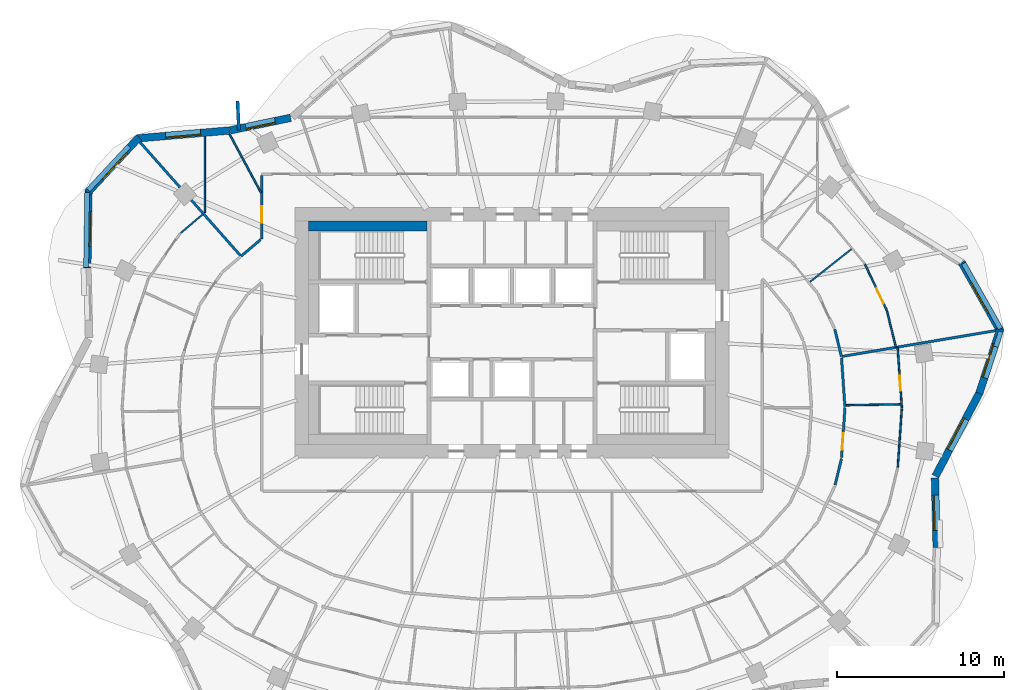
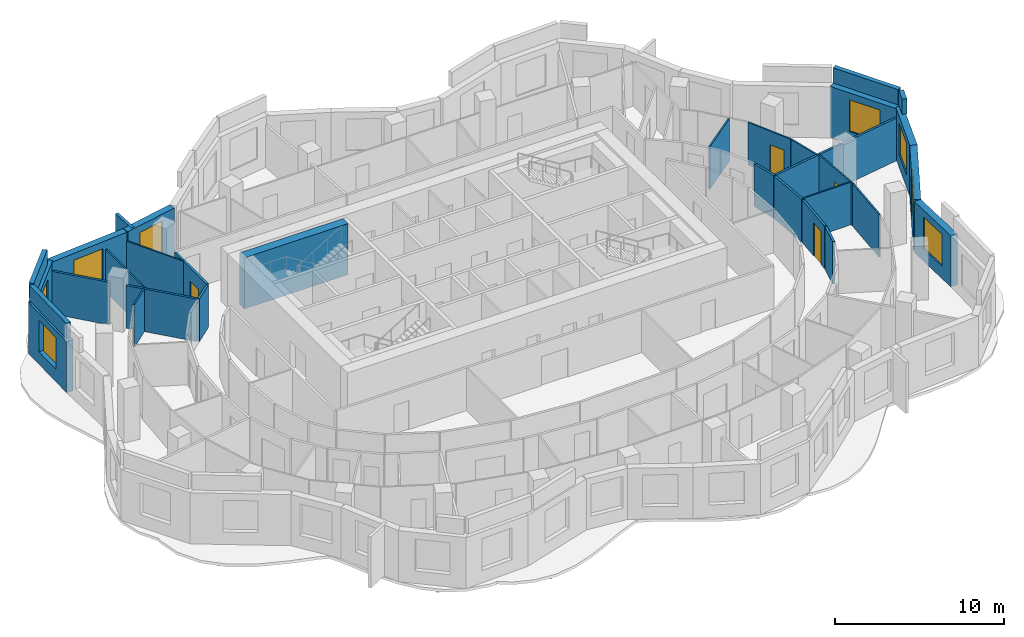
# One storey, part 8 of 12: 32 walls, 8 windows, 4 doors, 12 openings.
"""IFC4 building model written with IfcOpenShell, lengths in metres."""

from ifc_helpers import new_model, si_unit, direction, frame, frame_2d, origin, place, context, subcontext, project, spatial, rectangle, extrude, material, layer, layer_set, type_object, element, fill, save


model = new_model("IFC4")

# Units and contexts
model_context = context("Model", 3, precision=1e-05, world=origin(), true_north=direction((0.0, 1.0)))
body_context = subcontext(model_context, "Body", "Model", "MODEL_VIEW")
ifc_project = project(units=[si_unit("LENGTHUNIT", "METRE"), si_unit("AREAUNIT", "SQUARE_METRE"), si_unit("VOLUMEUNIT", "CUBIC_METRE"), si_unit("PLANEANGLEUNIT", "RADIAN"), si_unit("MASSUNIT", "GRAM", prefix="KILO")], contexts=[model_context])

# Site, building, storey
site_placement = place(None, origin())
site = spatial("IfcSite", under=ifc_project, at=site_placement, CompositionType="ELEMENT")
building_placement = place(site_placement, origin())
building = spatial("IfcBuilding", under=site, at=building_placement, Name="Rubra Terraces Tower", CompositionType="ELEMENT")
storey_placement = place(building_placement, frame((0.0, 0.0, 201.300048828125)))
storey = spatial("IfcBuildingStorey", under=building, at=storey_placement, Name="L49", CompositionType="ELEMENT", Elevation=201.300048828125)

# Wall, opening, window
ifc_material_1 = material(Name="Brick masonry red-brown", Category="masonry")
ifc_layer_1 = layer(ifc_material_1, 0.449951171875)
ifc_layer_set_1 = layer_set([ifc_layer_1], Name="Brick masonry red-brown")
wall_type_1 = type_object("IfcWallType", Name="Brick facade wall 450", PredefinedType="SOLIDWALL", material=ifc_layer_set_1)
wall_1_placement = place(storey_placement, frame((27.99462890625, 0.861083984375, 0.0), z_axis=(0.0, 0.0, 1.0), x_axis=(0.310693110673, 0.950510279261, 0.0)))
wall_1 = element("IfcWall", 1, at=wall_1_placement, inside=storey, type_object=wall_type_1, Name="Facade wall L49 bay 1", PredefinedType="SOLIDWALL", context=body_context, shape_type="SweptSolid", body=[
    extrude(rectangle(XDim=4.079833984375, YDim=0.449951171875, at=frame_2d((2.0400390625, 0.0))), origin(), (0.0, 0.0, 1.0), 3.699951171875),
])
opening_1_placement = place(wall_1_placement, frame((0.989990234375, 0.0, 0.89990234375)))
opening_1 = element("IfcOpeningElement", 2, at=opening_1_placement, cuts=wall_1, Name="Opening W1B", PredefinedType="OPENING", context=body_context, shape_type="SweptSolid", body=[
    extrude(rectangle(XDim=2.10009765625, YDim=2.300048828125, at=frame_2d((1.050048828125, 1.14990234375))), frame((0.0, 0.23486328125, 0.0), z_axis=(0.0, -1.0, 0.0), x_axis=(1.0, 0.0, 0.0)), (0.0, 0.0, 1.0), 0.469970703125),
])
ifc_material_2 = material(Name="Clear glass in aluminium frame", Category="aluminium")
window_type_1 = type_object("IfcWindowType", Name="Fixed deep-set window tall storey 2100 x 2300", PartitioningType="SINGLE_PANEL", PredefinedType="WINDOW", material=ifc_material_2)
window_1_placement = place(opening_1_placement, origin())
window_1 = element("IfcWindow", 3, at=window_1_placement, inside=storey, type_object=window_type_1, Name="Window L49 bay 1", OverallHeight=2.300048828125, OverallWidth=2.10009765625, PartitioningType="SINGLE_PANEL", PredefinedType="WINDOW", context=body_context, shape_type="SweptSolid", body=[
    extrude(rectangle(XDim=2.10009765625, YDim=2.300048828125, at=frame_2d((1.050048828125, 1.14990234375))), frame((0.0, 0.135009765625, 0.0), z_axis=(0.0, -1.0, 0.0), x_axis=(1.0, 0.0, 0.0)), (0.0, 0.0, 1.0), 0.06005859375),
])
fill(opening_1, window_1)

wall_2_placement = place(storey_placement, frame((29.280029296875, 4.558349609375, 0.0), z_axis=(0.0, 0.0, 1.0), x_axis=(-0.491511608999, 0.870871022723, 0.0)))
wall_2 = element("IfcWall", 4, at=wall_2_placement, inside=storey, type_object=wall_type_1, Name="Facade wall L49 bay 2", PredefinedType="SOLIDWALL", context=body_context, shape_type="SweptSolid", body=[
    extrude(rectangle(XDim=4.762939453125, YDim=0.449951171875, at=frame_2d((2.38134765625, 0.0))), origin(), (0.0, 0.0, 1.0), 3.699951171875),
])
opening_2_placement = place(wall_2_placement, frame((1.33154296875, 0.0, 0.89990234375)))
opening_2 = element("IfcOpeningElement", 5, at=opening_2_placement, cuts=wall_2, Name="Opening W1B", PredefinedType="OPENING", context=body_context, shape_type="SweptSolid", body=[
    extrude(rectangle(XDim=2.10009765625, YDim=2.300048828125, at=frame_2d((1.050048828125, 1.14990234375))), frame((0.0, 0.23486328125, 0.0), z_axis=(0.0, -1.0, 0.0), x_axis=(1.0, 0.0, 0.0)), (0.0, 0.0, 1.0), 0.469970703125),
])
window_2_placement = place(opening_2_placement, origin())
window_2 = element("IfcWindow", 6, at=window_2_placement, inside=storey, type_object=window_type_1, Name="Window L49 bay 2", OverallHeight=2.300048828125, OverallWidth=2.10009765625, PartitioningType="SINGLE_PANEL", PredefinedType="WINDOW", context=body_context, shape_type="SweptSolid", body=[
    extrude(rectangle(XDim=2.10009765625, YDim=2.300048828125, at=frame_2d((1.050048828125, 1.14990234375))), frame((0.0, 0.135009765625, 0.0), z_axis=(0.0, -1.0, 0.0), x_axis=(1.0, 0.0, 0.0)), (0.0, 0.0, 1.0), 0.06005859375),
])
fill(opening_2, window_2)

wall_3_placement = place(storey_placement, frame((-13.2578125, 17.3671875, 0.0), z_axis=(0.0, 0.0, 1.0), x_axis=(-0.97914968674, -0.203140077183, 0.0)))
wall_3 = element("IfcWall", 7, at=wall_3_placement, inside=storey, type_object=wall_type_1, Name="Facade wall L49 bay 15", PredefinedType="SOLIDWALL", context=body_context, shape_type="SweptSolid", body=[
    extrude(rectangle(XDim=3.700439453125, YDim=0.449951171875, at=frame_2d((1.85009765625, 0.0))), origin(), (0.0, 0.0, 1.0), 3.699951171875),
])
opening_3_placement = place(wall_3_placement, frame((0.9501953125, 0.0, 0.89990234375)))
opening_3 = element("IfcOpeningElement", 8, at=opening_3_placement, cuts=wall_3, Name="Opening W6B", PredefinedType="OPENING", context=body_context, shape_type="SweptSolid", body=[
    extrude(rectangle(XDim=1.800048828125, YDim=2.300048828125, at=frame_2d((0.89990234375, 1.14990234375))), frame((0.0, 0.23486328125, 0.0), z_axis=(0.0, -1.0, 0.0), x_axis=(1.0, 0.0, 0.0)), (0.0, 0.0, 1.0), 0.469970703125),
])
window_type_2 = type_object("IfcWindowType", Name="Fixed deep-set window at wind fin tall storey 1800 x 2300", PartitioningType="SINGLE_PANEL", PredefinedType="WINDOW", material=ifc_material_2)
window_3_placement = place(opening_3_placement, origin())
window_3 = element("IfcWindow", 9, at=window_3_placement, inside=storey, type_object=window_type_2, Name="Window L49 bay 15", OverallHeight=2.300048828125, OverallWidth=1.800048828125, PartitioningType="SINGLE_PANEL", PredefinedType="WINDOW", context=body_context, shape_type="SweptSolid", body=[
    extrude(rectangle(XDim=1.800048828125, YDim=2.300048828125, at=frame_2d((0.89990234375, 1.14990234375))), frame((0.0, 0.135009765625, 0.0), z_axis=(0.0, -1.0, 0.0), x_axis=(1.0, 0.0, 0.0)), (0.0, 0.0, 1.0), 0.06005859375),
])
fill(opening_3, window_3)

wall_4_placement = place(storey_placement, frame((-16.91015625, 16.610107421875, 0.0), z_axis=(0.0, 0.0, 1.0), x_axis=(-0.996333165816, -0.085558299972, 0.0)))
wall_4 = element("IfcWall", 10, at=wall_4_placement, inside=storey, type_object=wall_type_1, Name="Facade wall L49 bay 16", PredefinedType="SOLIDWALL", context=body_context, shape_type="SweptSolid", body=[
    extrude(rectangle(XDim=5.595703125, YDim=0.449951171875, at=frame_2d((2.7978515625, 0.0))), origin(), (0.0, 0.0, 1.0), 3.699951171875),
])
opening_4_placement = place(wall_4_placement, frame((1.747802734375, 0.0, 0.89990234375)))
opening_4 = element("IfcOpeningElement", 11, at=opening_4_placement, cuts=wall_4, Name="Opening W1B", PredefinedType="OPENING", context=body_context, shape_type="SweptSolid", body=[
    extrude(rectangle(XDim=2.10009765625, YDim=2.300048828125, at=frame_2d((1.050048828125, 1.14990234375))), frame((0.0, 0.23486328125, 0.0), z_axis=(0.0, -1.0, 0.0), x_axis=(1.0, 0.0, 0.0)), (0.0, 0.0, 1.0), 0.469970703125),
])
window_4_placement = place(opening_4_placement, origin())
window_4 = element("IfcWindow", 12, at=window_4_placement, inside=storey, type_object=window_type_1, Name="Window L49 bay 16", OverallHeight=2.300048828125, OverallWidth=2.10009765625, PartitioningType="SINGLE_PANEL", PredefinedType="WINDOW", context=body_context, shape_type="SweptSolid", body=[
    extrude(rectangle(XDim=2.10009765625, YDim=2.300048828125, at=frame_2d((1.050048828125, 1.14990234375))), frame((0.0, 0.135009765625, 0.0), z_axis=(0.0, -1.0, 0.0), x_axis=(1.0, 0.0, 0.0)), (0.0, 0.0, 1.0), 0.06005859375),
])
fill(opening_4, window_4)

wall_5_placement = place(storey_placement, frame((-22.34521484375, 16.20166015625, 0.0), z_axis=(0.0, 0.0, 1.0), x_axis=(-0.681249161265, -0.732051624051, 0.0)))
wall_5 = element("IfcWall", 13, at=wall_5_placement, inside=storey, type_object=wall_type_1, Name="Facade wall L49 bay 17", PredefinedType="SOLIDWALL", context=body_context, shape_type="SweptSolid", body=[
    extrude(rectangle(XDim=4.52685546875, YDim=0.449951171875, at=frame_2d((2.263427734375, 0.0))), origin(), (0.0, 0.0, 1.0), 3.699951171875),
])
opening_5_placement = place(wall_5_placement, frame((1.21337890625, 0.0, 0.89990234375)))
opening_5 = element("IfcOpeningElement", 14, at=opening_5_placement, cuts=wall_5, Name="Opening W1B", PredefinedType="OPENING", context=body_context, shape_type="SweptSolid", body=[
    extrude(rectangle(XDim=2.10009765625, YDim=2.300048828125, at=frame_2d((1.050048828125, 1.14990234375))), frame((0.0, 0.23486328125, 0.0), z_axis=(0.0, -1.0, 0.0), x_axis=(1.0, 0.0, 0.0)), (0.0, 0.0, 1.0), 0.469970703125),
])
window_5_placement = place(opening_5_placement, origin())
window_5 = element("IfcWindow", 15, at=window_5_placement, inside=storey, type_object=window_type_1, Name="Window L49 bay 17", OverallHeight=2.300048828125, OverallWidth=2.10009765625, PartitioningType="SINGLE_PANEL", PredefinedType="WINDOW", context=body_context, shape_type="SweptSolid", body=[
    extrude(rectangle(XDim=2.10009765625, YDim=2.300048828125, at=frame_2d((1.050048828125, 1.14990234375))), frame((0.0, 0.135009765625, 0.0), z_axis=(0.0, -1.0, 0.0), x_axis=(1.0, 0.0, 0.0)), (0.0, 0.0, 1.0), 0.06005859375),
])
fill(opening_5, window_5)

wall_6_placement = place(storey_placement, frame((-25.369140625, 13.031982421875, 0.0), z_axis=(0.0, 0.0, 1.0), x_axis=(-0.015383599855, -0.999881665426, 0.0)))
wall_6 = element("IfcWall", 16, at=wall_6_placement, inside=storey, type_object=wall_type_1, Name="Facade wall L49 bay 18", PredefinedType="SOLIDWALL", context=body_context, shape_type="SweptSolid", body=[
    extrude(rectangle(XDim=4.665771484375, YDim=0.449951171875, at=frame_2d((2.3330078125, 0.0))), origin(), (0.0, 0.0, 1.0), 3.699951171875),
])
opening_6_placement = place(wall_6_placement, frame((1.282958984375, 0.0, 0.89990234375)))
opening_6 = element("IfcOpeningElement", 17, at=opening_6_placement, cuts=wall_6, Name="Opening W1B", PredefinedType="OPENING", context=body_context, shape_type="SweptSolid", body=[
    extrude(rectangle(XDim=2.10009765625, YDim=2.300048828125, at=frame_2d((1.050048828125, 1.14990234375))), frame((0.0, 0.23486328125, 0.0), z_axis=(0.0, -1.0, 0.0), x_axis=(1.0, 0.0, 0.0)), (0.0, 0.0, 1.0), 0.469970703125),
])
window_6_placement = place(opening_6_placement, origin())
window_6 = element("IfcWindow", 18, at=window_6_placement, inside=storey, type_object=window_type_1, Name="Window L49 bay 18", OverallHeight=2.300048828125, OverallWidth=2.10009765625, PartitioningType="SINGLE_PANEL", PredefinedType="WINDOW", context=body_context, shape_type="SweptSolid", body=[
    extrude(rectangle(XDim=2.10009765625, YDim=2.300048828125, at=frame_2d((1.050048828125, 1.14990234375))), frame((0.0, 0.135009765625, 0.0), z_axis=(0.0, -1.0, 0.0), x_axis=(1.0, 0.0, 0.0)), (0.0, 0.0, 1.0), 0.06005859375),
])
fill(opening_6, window_6)

wall_7_placement = place(storey_placement, frame((25.44091796875, -8.375, 0.0), z_axis=(0.0, 0.0, 1.0), x_axis=(-0.024385850259, 0.999702620936, 0.0)))
wall_7 = element("IfcWall", 19, at=wall_7_placement, inside=storey, type_object=wall_type_1, Name="Facade wall L49 bay 39", PredefinedType="SOLIDWALL", context=body_context, shape_type="SweptSolid", body=[
    extrude(rectangle(XDim=4.164794921875, YDim=0.449951171875, at=frame_2d((2.08251953125, 0.0))), origin(), (0.0, 0.0, 1.0), 3.699951171875),
])
opening_7_placement = place(wall_7_placement, frame((1.032470703125, 0.0, 0.89990234375)))
opening_7 = element("IfcOpeningElement", 20, at=opening_7_placement, cuts=wall_7, Name="Opening W1B", PredefinedType="OPENING", context=body_context, shape_type="SweptSolid", body=[
    extrude(rectangle(XDim=2.10009765625, YDim=2.300048828125, at=frame_2d((1.050048828125, 1.14990234375))), frame((0.0, 0.23486328125, 0.0), z_axis=(0.0, -1.0, 0.0), x_axis=(1.0, 0.0, 0.0)), (0.0, 0.0, 1.0), 0.469970703125),
])
window_7_placement = place(opening_7_placement, origin())
window_7 = element("IfcWindow", 21, at=window_7_placement, inside=storey, type_object=window_type_1, Name="Window L49 bay 39", OverallHeight=2.300048828125, OverallWidth=2.10009765625, PartitioningType="SINGLE_PANEL", PredefinedType="WINDOW", context=body_context, shape_type="SweptSolid", body=[
    extrude(rectangle(XDim=2.10009765625, YDim=2.300048828125, at=frame_2d((1.050048828125, 1.14990234375))), frame((0.0, 0.135009765625, 0.0), z_axis=(0.0, -1.0, 0.0), x_axis=(1.0, 0.0, 0.0)), (0.0, 0.0, 1.0), 0.06005859375),
])
fill(opening_7, window_7)

wall_8_placement = place(storey_placement, frame((25.365478515625, -4.10693359375, 0.0), z_axis=(0.0, 0.0, 1.0), x_axis=(0.467239399168, 0.884130840919, 0.0)))
wall_8 = element("IfcWall", 22, at=wall_8_placement, inside=storey, type_object=wall_type_1, Name="Facade wall L49 bay 40", PredefinedType="SOLIDWALL", context=body_context, shape_type="SweptSolid", body=[
    extrude(rectangle(XDim=5.658935546875, YDim=0.449951171875, at=frame_2d((2.82958984375, 0.0))), origin(), (0.0, 0.0, 1.0), 3.699951171875),
])
opening_8_placement = place(wall_8_placement, frame((1.779296875, 0.0, 0.89990234375)))
opening_8 = element("IfcOpeningElement", 23, at=opening_8_placement, cuts=wall_8, Name="Opening W1B", PredefinedType="OPENING", context=body_context, shape_type="SweptSolid", body=[
    extrude(rectangle(XDim=2.10009765625, YDim=2.300048828125, at=frame_2d((1.050048828125, 1.14990234375))), frame((0.0, 0.23486328125, 0.0), z_axis=(0.0, -1.0, 0.0), x_axis=(1.0, 0.0, 0.0)), (0.0, 0.0, 1.0), 0.469970703125),
])
window_8_placement = place(opening_8_placement, origin())
window_8 = element("IfcWindow", 24, at=window_8_placement, inside=storey, type_object=window_type_1, Name="Window L49 bay 40", OverallHeight=2.300048828125, OverallWidth=2.10009765625, PartitioningType="SINGLE_PANEL", PredefinedType="WINDOW", context=body_context, shape_type="SweptSolid", body=[
    extrude(rectangle(XDim=2.10009765625, YDim=2.300048828125, at=frame_2d((1.050048828125, 1.14990234375))), frame((0.0, 0.135009765625, 0.0), z_axis=(0.0, -1.0, 0.0), x_axis=(1.0, 0.0, 0.0)), (0.0, 0.0, 1.0), 0.06005859375),
])
fill(opening_8, window_8)

# Walls
ifc_layer_2 = layer(ifc_material_1, 0.300048828125)
ifc_layer_set_2 = layer_set([ifc_layer_2], Name="Brick masonry red-brown")
wall_type_2 = type_object("IfcWallType", Name="Brick parapet 300", PredefinedType="PARAPET", material=ifc_layer_set_2)
wall_9_placement = place(storey_placement, frame((28.987548828125, 3.657470703125, 3.89990234375), z_axis=(0.0, 0.0, 1.0), x_axis=(0.310832502734, 0.950464704891, 0.0)))
element("IfcWall", 25, at=wall_9_placement, inside=storey, type_object=wall_type_2, Name="Parapet L49 bay 1", PredefinedType="PARAPET", context=body_context, shape_type="SweptSolid", body=[
    extrude(rectangle(XDim=0.951171875, YDim=0.300048828125, at=frame_2d((0.4755859375, 0.0))), origin(), (0.0, 0.0, 1.0), 1.10009765625),
])
wall_10_placement = place(storey_placement, frame((29.265625, 4.736572265625, 3.89990234375), z_axis=(0.0, 0.0, 1.0), x_axis=(-0.491480740547, 0.870888443873, 0.0)))
element("IfcWall", 26, at=wall_10_placement, inside=storey, type_object=wall_type_2, Name="Parapet L49 bay 2", PredefinedType="PARAPET", context=body_context, shape_type="SweptSolid", body=[
    extrude(rectangle(XDim=4.494140625, YDim=0.300048828125, at=frame_2d((2.2470703125, 0.0))), origin(), (0.0, 0.0, 1.0), 1.10009765625),
])
wall_11_placement = place(storey_placement, frame((-22.947509765625, 15.66455078125, 3.89990234375), z_axis=(0.0, 0.0, 1.0), x_axis=(-0.681269800001, -0.732032417046, 0.0)))
element("IfcWall", 27, at=wall_11_placement, inside=storey, type_object=wall_type_2, Name="Parapet L49 bay 17", PredefinedType="PARAPET", context=body_context, shape_type="SweptSolid", body=[
    extrude(rectangle(XDim=3.578125, YDim=0.300048828125, at=frame_2d((1.7890625, 0.0))), origin(), (0.0, 0.0, 1.0), 1.10009765625),
])
wall_12_placement = place(storey_placement, frame((-25.4462890625, 12.893310546875, 3.89990234375), z_axis=(0.0, 0.0, 1.0), x_axis=(-0.015386139974, -0.999881626342, 0.0)))
element("IfcWall", 28, at=wall_12_placement, inside=storey, type_object=wall_type_2, Name="Parapet L49 bay 18", PredefinedType="PARAPET", context=body_context, shape_type="SweptSolid", body=[
    extrude(rectangle(XDim=4.490478515625, YDim=0.300048828125, at=frame_2d((2.2451171875, 0.0))), origin(), (0.0, 0.0, 1.0), 1.10009765625),
])
ifc_layer_3 = layer(ifc_material_1, 0.199951171875)
ifc_layer_set_3 = layer_set([ifc_layer_3], Name="Brick masonry red-brown")
wall_type_3 = type_object("IfcWallType", Name="Brick wind fin 200", PredefinedType="SOLIDWALL", material=ifc_layer_set_3)
wall_13_placement = place(storey_placement, frame((-16.361083984375, 16.635986328125, 0.0), z_axis=(0.0, 0.0, 1.0), x_axis=(-0.048552811097, 0.998820616795, 0.0)))
element("IfcWall", 29, at=wall_13_placement, inside=storey, type_object=wall_type_3, Name="Wind fin L49 9", PredefinedType="SOLIDWALL", context=body_context, shape_type="SweptSolid", body=[
    extrude(rectangle(XDim=1.749755859375, YDim=0.199951171875, at=frame_2d((0.875, 0.0))), origin(), (0.0, 0.0, 1.0), 3.699951171875),
])
ifc_material_3 = material(Name="Plasterboard on steel stud, mineral wool infill", Category="steel")
ifc_layer_4 = layer(ifc_material_3, 0.14990234375)
ifc_layer_set_4 = layer_set([ifc_layer_4], Name="Plasterboard on steel stud, mineral wool infill")
wall_type_4 = type_object("IfcWallType", Name="CORRIDOR PARTITION 150", PredefinedType="PARTITIONING", material=ifc_layer_set_4)
wall_14_placement = place(storey_placement, frame((19.736328125, 3.068359375, 0.0), z_axis=(0.0, 0.0, 1.0), x_axis=(-0.236736045641, 0.971574003715, 0.0)))
element("IfcWall", 30, at=wall_14_placement, inside=storey, type_object=wall_type_4, Name="PARTITION", PredefinedType="PARTITIONING", context=body_context, shape_type="SweptSolid", body=[
    extrude(rectangle(XDim=1.68505859375, YDim=0.14990234375, at=frame_2d((0.842529296875, 0.0))), origin(), (0.0, 0.0, 1.0), 3.083984375),
])

# Wall, opening, door
wall_15_placement = place(storey_placement, frame((-15.0, 13.925048828125, 0.0), z_axis=(0.0, 0.0, 1.0), x_axis=(0.0, -1.0, 0.0)))
wall_15 = element("IfcWall", 31, at=wall_15_placement, inside=storey, type_object=wall_type_4, Name="PARTITION", PredefinedType="PARTITIONING", context=body_context, shape_type="SweptSolid", body=[
    extrude(rectangle(XDim=3.803466796875, YDim=0.14990234375, at=frame_2d((1.90185546875, 0.0))), origin(), (0.0, 0.0, 1.0), 3.083984375),
])
opening_9_placement = place(wall_15_placement, frame((1.85009765625, 0.0, 0.0)))
opening_9 = element("IfcOpeningElement", 32, at=opening_9_placement, cuts=wall_15, Name="Opening 49-141", PredefinedType="OPENING", context=body_context, shape_type="SweptSolid", body=[
    extrude(rectangle(XDim=1.0, YDim=2.10009765625, at=frame_2d((0.5, 1.050048828125))), frame((0.0, 0.0849609375, 0.0), z_axis=(0.0, -1.0, 0.0), x_axis=(1.0, 0.0, 0.0)), (0.0, 0.0, 1.0), 0.169921875),
])
ifc_material_4 = material(Name="Painted timber door leaf", Category="wood")
door_type_1 = type_object("IfcDoorType", Name="ROOM DOOR 1000 X 2100", OperationType="SINGLE_SWING_LEFT", PredefinedType="DOOR", material=ifc_material_4)
door_1_placement = place(opening_9_placement, origin())
door_1 = element("IfcDoor", 33, at=door_1_placement, inside=storey, type_object=door_type_1, Name="DOOR 49-141", OperationType="SINGLE_SWING_RIGHT", OverallHeight=2.10009765625, OverallWidth=1.0, PredefinedType="DOOR", context=body_context, shape_type="SweptSolid", body=[
    extrude(rectangle(XDim=1.0, YDim=2.10009765625, at=frame_2d((0.5, 1.050048828125))), frame((0.0, 0.02490234375, 0.0), z_axis=(0.0, -1.0, 0.0), x_axis=(1.0, 0.0, 0.0)), (0.0, 0.0, 1.0), 0.050048828125),
])
fill(opening_9, door_1)

# Walls
wall_16_placement = place(storey_placement, frame((-15.05712890625, 10.072998046875, 0.0), z_axis=(0.0, 0.0, 1.0), x_axis=(-0.762454697996, -0.647041601061, 0.0)))
element("IfcWall", 34, at=wall_16_placement, inside=storey, type_object=wall_type_4, Name="PARTITION", PredefinedType="PARTITIONING", context=body_context, shape_type="SweptSolid", body=[
    extrude(rectangle(XDim=1.5419921875, YDim=0.14990234375, at=frame_2d((0.77099609375, 0.0))), origin(), (0.0, 0.0, 1.0), 3.083984375),
])
wall_17_placement = place(storey_placement, frame((19.355224609375, -4.6328125, 0.0), z_axis=(0.0, 0.0, 1.0), x_axis=(0.236703930685, 0.971581828359, 0.0)))
element("IfcWall", 35, at=wall_17_placement, inside=storey, type_object=wall_type_4, Name="PARTITION", PredefinedType="PARTITIONING", context=body_context, shape_type="SweptSolid", body=[
    extrude(rectangle(XDim=1.62646484375, YDim=0.14990234375, at=frame_2d((0.813232421875, 0.0))), origin(), (0.0, 0.0, 1.0), 3.083984375),
])

# Wall, opening, door
wall_18_placement = place(storey_placement, frame((19.745361328125, -2.9775390625, 0.0), z_axis=(0.0, 0.0, 1.0), x_axis=(0.068142324, 0.997675610447, 0.0)))
wall_18 = element("IfcWall", 36, at=wall_18_placement, inside=storey, type_object=wall_type_4, Name="PARTITION", PredefinedType="PARTITIONING", context=body_context, shape_type="SweptSolid", body=[
    extrude(rectangle(XDim=2.984375, YDim=0.14990234375, at=frame_2d((1.4921875, 0.0))), origin(), (0.0, 0.0, 1.0), 3.083984375),
])
opening_10_placement = place(wall_18_placement, frame((0.449951171875, 0.0, 0.0)))
opening_10 = element("IfcOpeningElement", 37, at=opening_10_placement, cuts=wall_18, Name="Opening 49-130", PredefinedType="OPENING", context=body_context, shape_type="SweptSolid", body=[
    extrude(rectangle(XDim=1.0, YDim=2.39990234375, at=frame_2d((0.5, 1.199951171875))), frame((0.0, 0.0849609375, 0.0), z_axis=(0.0, -1.0, 0.0), x_axis=(1.0, 0.0, 0.0)), (0.0, 0.0, 1.0), 0.169921875),
])
ifc_material_5 = material(Name="Glazed aluminium meeting door leaf", Category="aluminium")
door_type_2 = type_object("IfcDoorType", Name="MEETING ROOM GLAZED DOOR 1000 X 2400", OperationType="SINGLE_SWING_LEFT", PredefinedType="DOOR", material=ifc_material_5)
door_2_placement = place(opening_10_placement, origin())
door_2 = element("IfcDoor", 38, at=door_2_placement, inside=storey, type_object=door_type_2, Name="DOOR 49-130", OperationType="SINGLE_SWING_RIGHT", OverallHeight=2.39990234375, OverallWidth=1.0, PredefinedType="DOOR", context=body_context, shape_type="SweptSolid", body=[
    extrude(rectangle(XDim=1.0, YDim=2.39990234375, at=frame_2d((0.5, 1.199951171875))), frame((0.0, 0.02490234375, 0.0), z_axis=(0.0, -1.0, 0.0), x_axis=(1.0, 0.0, 0.0)), (0.0, 0.0, 1.0), 0.050048828125),
])
fill(opening_10, door_2)

# Walls
wall_19_placement = place(storey_placement, frame((19.943603515625, 0.07470703125, 0.0), z_axis=(0.0, 0.0, 1.0), x_axis=(-0.069011153465, 0.997615888355, 0.0)))
element("IfcWall", 39, at=wall_19_placement, inside=storey, type_object=wall_type_4, Name="PARTITION", PredefinedType="PARTITIONING", context=body_context, shape_type="SweptSolid", body=[
    extrude(rectangle(XDim=2.92578125, YDim=0.14990234375, at=frame_2d((1.462890625, 0.0))), origin(), (0.0, 0.0, 1.0), 3.083984375),
])
ifc_material_6 = material(Name="Concrete C40", Category="concrete")
ifc_layer_5 = layer(ifc_material_6, 0.60009765625)
ifc_layer_set_5 = layer_set([ifc_layer_5], Name="Concrete C40")
wall_type_5 = type_object("IfcWallType", Name="Core lining wall 600 concrete", PredefinedType="SOLIDWALL", material=ifc_layer_set_5)
wall_20_placement = place(storey_placement, frame((-12.199951171875, 10.89990234375, 0.0), z_axis=(0.0, 0.0, 1.0), x_axis=(1.0, 0.0, 0.0)))
element("IfcWall", 40, at=wall_20_placement, inside=storey, type_object=wall_type_5, Name="CORE LINING WALL L49", PredefinedType="SOLIDWALL", context=body_context, shape_type="SweptSolid", body=[
    extrude(rectangle(XDim=7.099853515625, YDim=0.60009765625, at=frame_2d((3.5498046875, 0.0))), origin(), (0.0, 0.0, 1.0), 3.699951171875),
])

# Wall, opening, door
ifc_material_7 = material(Name="Plasterboard on steel stud", Category="steel")
ifc_layer_6 = layer(ifc_material_7, 0.10009765625)
ifc_layer_set_6 = layer_set([ifc_layer_6], Name="Plasterboard on steel stud")
wall_type_6 = type_object("IfcWallType", Name="ROOM PARTITION 100", PredefinedType="PARTITIONING", material=ifc_layer_set_6)
wall_21_placement = place(storey_placement, frame((21.148681640625, 8.59033203125, 0.0), z_axis=(0.0, 0.0, 1.0), x_axis=(0.428134173248, -0.903715181734, 0.0)))
wall_21 = element("IfcWall", 41, at=wall_21_placement, inside=storey, type_object=wall_type_6, Name="PARTITION", PredefinedType="PARTITIONING", context=body_context, shape_type="SweptSolid", body=[
    extrude(rectangle(XDim=3.072021484375, YDim=0.10009765625, at=frame_2d((1.5361328125, 0.0))), origin(), (0.0, 0.0, 1.0), 3.083984375),
])
opening_11_placement = place(wall_21_placement, frame((1.60009765625, 0.0, 0.0)))
opening_11 = element("IfcOpeningElement", 42, at=opening_11_placement, cuts=wall_21, Name="Opening 49-101", PredefinedType="OPENING", context=body_context, shape_type="SweptSolid", body=[
    extrude(rectangle(XDim=1.0, YDim=2.10009765625, at=frame_2d((0.5, 1.050048828125))), frame((0.0, 0.06005859375, 0.0), z_axis=(0.0, -1.0, 0.0), x_axis=(1.0, 0.0, 0.0)), (0.0, 0.0, 1.0), 0.1201171875),
])
door_3_placement = place(opening_11_placement, origin())
door_3 = element("IfcDoor", 43, at=door_3_placement, inside=storey, type_object=door_type_1, Name="DOOR 49-101", OperationType="SINGLE_SWING_LEFT", OverallHeight=2.10009765625, OverallWidth=1.0, PredefinedType="DOOR", context=body_context, shape_type="SweptSolid", body=[
    extrude(rectangle(XDim=1.0, YDim=2.10009765625, at=frame_2d((0.5, 1.050048828125))), frame((0.0, 0.02490234375, 0.0), z_axis=(0.0, -1.0, 0.0), x_axis=(1.0, 0.0, 0.0)), (0.0, 0.0, 1.0), 0.050048828125),
])
fill(opening_11, door_3)

# Walls
wall_22_placement = place(storey_placement, frame((22.4755859375, 5.765380859375, 0.0), z_axis=(0.0, 0.0, 1.0), x_axis=(0.23684595195, -0.971547217095, 0.0)))
element("IfcWall", 44, at=wall_22_placement, inside=storey, type_object=wall_type_6, Name="PARTITION", PredefinedType="PARTITIONING", context=body_context, shape_type="SweptSolid", body=[
    extrude(rectangle(XDim=2.192626953125, YDim=0.10009765625, at=frame_2d((1.09619140625, 0.0))), origin(), (0.0, 0.0, 1.0), 3.083984375),
])
wall_23_placement = place(storey_placement, frame((17.85009765625, 7.539794921875, 0.0), z_axis=(0.0, 0.0, 1.0), x_axis=(0.784835535168, 0.619704109021, 0.0)))
element("IfcWall", 45, at=wall_23_placement, inside=storey, type_object=wall_type_6, Name="PARTITION", PredefinedType="PARTITIONING", context=body_context, shape_type="SweptSolid", body=[
    extrude(rectangle(XDim=3.17578125, YDim=0.10009765625, at=frame_2d((1.587890625, 0.0))), origin(), (0.0, 0.0, 1.0), 3.083984375),
])
wall_24_placement = place(storey_placement, frame((-18.39990234375, 11.6953125, 0.0), z_axis=(0.0, 0.0, 1.0), x_axis=(0.0, 1.0, 0.0)))
element("IfcWall", 46, at=wall_24_placement, inside=storey, type_object=wall_type_6, Name="PARTITION", PredefinedType="PARTITIONING", context=body_context, shape_type="SweptSolid", body=[
    extrude(rectangle(XDim=4.541259765625, YDim=0.10009765625, at=frame_2d((2.2705078125, 0.0))), origin(), (0.0, 0.0, 1.0), 3.083984375),
])
wall_25_placement = place(storey_placement, frame((-15.03564453125, 12.88818359375, 0.0), z_axis=(0.0, 0.0, 1.0), x_axis=(-0.474066818375, 0.880488870864, 0.0)))
element("IfcWall", 47, at=wall_25_placement, inside=storey, type_object=wall_type_6, Name="PARTITION", PredefinedType="PARTITIONING", context=body_context, shape_type="SweptSolid", body=[
    extrude(rectangle(XDim=3.969970703125, YDim=0.10009765625, at=frame_2d((1.98486328125, 0.0))), origin(), (0.0, 0.0, 1.0), 3.083984375),
])
wall_26_placement = place(storey_placement, frame((-19.852783203125, 10.462158203125, 0.0), z_axis=(0.0, 0.0, 1.0), x_axis=(0.762401913856, 0.64710379519, 0.0)))
element("IfcWall", 48, at=wall_26_placement, inside=storey, type_object=wall_type_6, Name="PARTITION", PredefinedType="PARTITIONING", context=body_context, shape_type="SweptSolid", body=[
    extrude(rectangle(XDim=1.770263671875, YDim=0.10009765625, at=frame_2d((0.88525390625, 0.0))), origin(), (0.0, 0.0, 1.0), 3.083984375),
])

# Wall, opening, door
wall_27_placement = place(storey_placement, frame((23.103271484375, 3.61279296875, 0.0), z_axis=(0.0, 0.0, 1.0), x_axis=(0.069972683226, -0.997548907875, 0.0)))
wall_27 = element("IfcWall", 49, at=wall_27_placement, inside=storey, type_object=wall_type_6, Name="PARTITION", PredefinedType="PARTITIONING", context=body_context, shape_type="SweptSolid", body=[
    extrude(rectangle(XDim=3.62158203125, YDim=0.10009765625, at=frame_2d((1.810791015625, 0.0))), origin(), (0.0, 0.0, 1.0), 3.083984375),
])
opening_12_placement = place(wall_27_placement, frame((1.700927734375, 0.0, 0.0)))
opening_12 = element("IfcOpeningElement", 50, at=opening_12_placement, cuts=wall_27, Name="Opening 49-131", PredefinedType="OPENING", context=body_context, shape_type="SweptSolid", body=[
    extrude(rectangle(XDim=0.89990234375, YDim=2.10009765625, at=frame_2d((0.449951171875, 1.050048828125))), frame((0.0, 0.06005859375, 0.0), z_axis=(0.0, -1.0, 0.0), x_axis=(1.0, 0.0, 0.0)), (0.0, 0.0, 1.0), 0.1201171875),
])
door_type_3 = type_object("IfcDoorType", Name="ROOM DOOR 900 X 2100", OperationType="SINGLE_SWING_LEFT", PredefinedType="DOOR", material=ifc_material_4)
door_4_placement = place(opening_12_placement, origin())
door_4 = element("IfcDoor", 51, at=door_4_placement, inside=storey, type_object=door_type_3, Name="DOOR 49-131", OperationType="SINGLE_SWING_LEFT", OverallHeight=2.10009765625, OverallWidth=0.89990234375, PredefinedType="DOOR", context=body_context, shape_type="SweptSolid", body=[
    extrude(rectangle(XDim=0.89990234375, YDim=2.10009765625, at=frame_2d((0.449951171875, 1.050048828125))), frame((0.0, 0.02490234375, 0.0), z_axis=(0.0, -1.0, 0.0), x_axis=(1.0, 0.0, 0.0)), (0.0, 0.0, 1.0), 0.050048828125),
])
fill(opening_12, door_4)

# Walls
wall_28_placement = place(storey_placement, frame((23.353515625, -0.0498046875, 0.0), z_axis=(0.0, 0.0, 1.0), x_axis=(-0.06820679361, -0.99767120501, 0.0)))
element("IfcWall", 52, at=wall_28_placement, inside=storey, type_object=wall_type_6, Name="PARTITION", PredefinedType="PARTITIONING", context=body_context, shape_type="SweptSolid", body=[
    extrude(rectangle(XDim=3.532958984375, YDim=0.10009765625, at=frame_2d((1.7666015625, 0.0))), origin(), (0.0, 0.0, 1.0), 3.083984375),
])
wall_29_placement = place(storey_placement, frame((20.013671875, 0.149658203125, 0.0), z_axis=(0.0, 0.0, 1.0), x_axis=(0.999854678593, 0.017047630214, 0.0)))
element("IfcWall", 53, at=wall_29_placement, inside=storey, type_object=wall_type_6, Name="PARTITION", PredefinedType="PARTITIONING", context=body_context, shape_type="SweptSolid", body=[
    extrude(rectangle(XDim=3.279541015625, YDim=0.10009765625, at=frame_2d((1.6396484375, 0.0))), origin(), (0.0, 0.0, 1.0), 3.083984375),
])
ifc_layer_7 = layer(ifc_material_7, 0.14990234375)
ifc_layer_set_7 = layer_set([ifc_layer_7], Name="Plasterboard on steel stud")
wall_type_7 = type_object("IfcWallType", Name="ROOM PARTITION 150", PredefinedType="PARTITIONING", material=ifc_layer_set_7)
wall_30_placement = place(storey_placement, frame((28.982177734375, 4.61962890625, 0.0), z_axis=(0.0, 0.0, 1.0), x_axis=(-0.986215974775, -0.165463141211, 0.0)))
element("IfcWall", 54, at=wall_30_placement, inside=storey, type_object=wall_type_7, Name="PARTITION", PredefinedType="PARTITIONING", context=body_context, shape_type="SweptSolid", body=[
    extrude(rectangle(XDim=9.300048828125, YDim=0.14990234375, at=frame_2d((4.64990234375, 0.0))), origin(), (0.0, 0.0, 1.0), 3.083984375),
])
wall_31_placement = place(storey_placement, frame((-22.295166015625, 15.91796875, 0.0), z_axis=(0.0, 0.0, 1.0), x_axis=(0.663108813626, -0.748523013201, 0.0)))
element("IfcWall", 55, at=wall_31_placement, inside=storey, type_object=wall_type_7, Name="PARTITION", PredefinedType="PARTITIONING", context=body_context, shape_type="SweptSolid", body=[
    extrude(rectangle(XDim=3.61279296875, YDim=0.14990234375, at=frame_2d((1.806396484375, 0.0))), origin(), (0.0, 0.0, 1.0), 3.083984375),
])
wall_32_placement = place(storey_placement, frame((-19.209716796875, 12.435302734375, 0.0), z_axis=(0.0, 0.0, 1.0), x_axis=(0.663120249496, -0.748512882125, 0.0)))
element("IfcWall", 56, at=wall_32_placement, inside=storey, type_object=wall_type_7, Name="PARTITION", PredefinedType="PARTITIONING", context=body_context, shape_type="SweptSolid", body=[
    extrude(rectangle(XDim=4.414306640625, YDim=0.14990234375, at=frame_2d((2.20703125, 0.0))), origin(), (0.0, 0.0, 1.0), 3.083984375),
])

save(model, "model.ifc")
